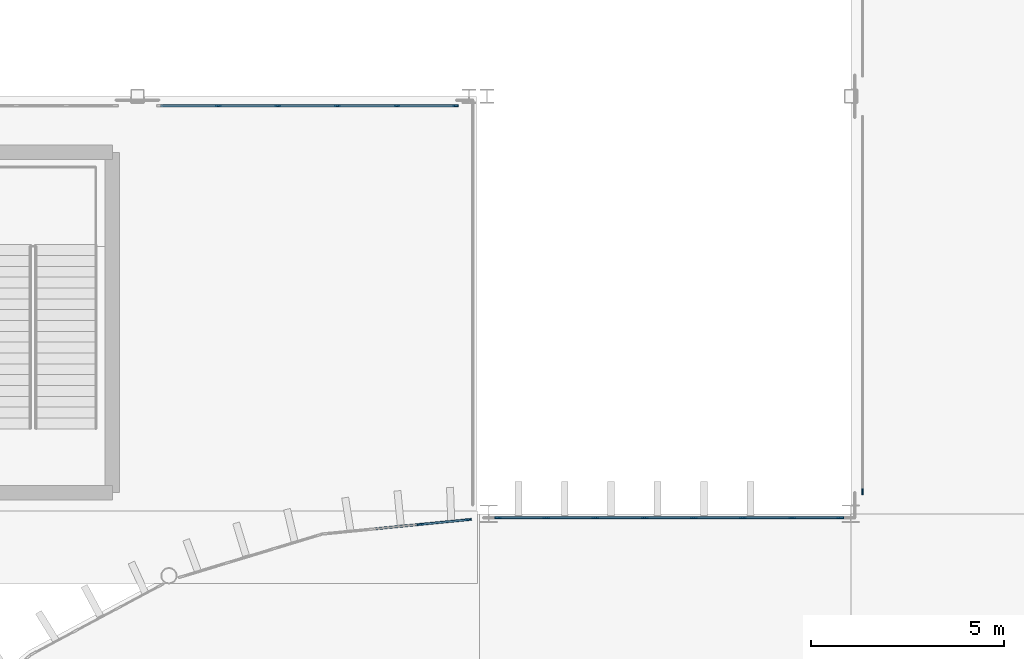
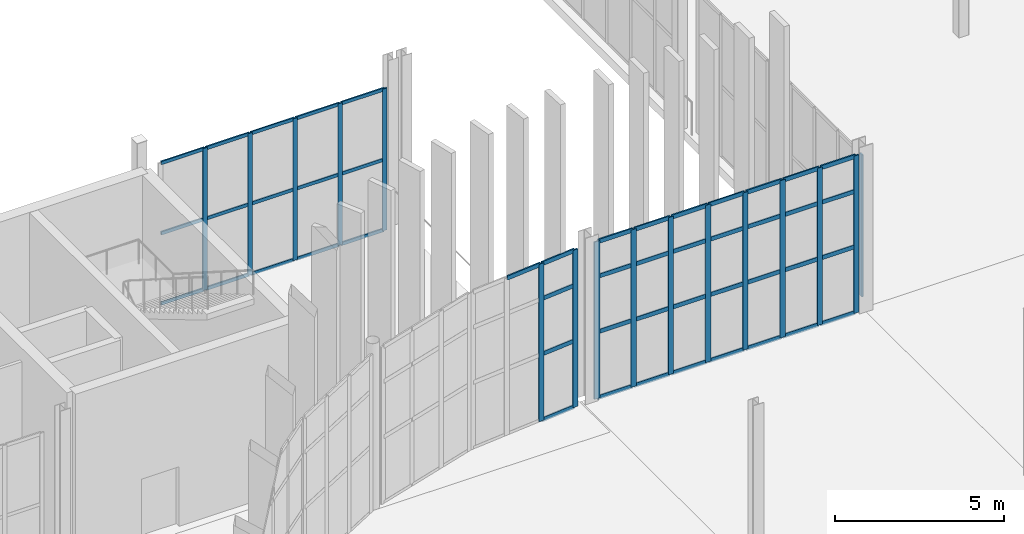
# One storey, part 47 of 139: 64 members, 4 elements without a shape of their own.
"""IFC4 building model written with IfcOpenShell, lengths in metres."""

from ifc_helpers import new_model, si_unit, direction, frame, origin, origin_2d, place, context, subcontext, project, spatial, rectangle, extrude, material, layer, layer_set, material_profile, profile_set, type_object, element, aggregate, save


model = new_model("IFC4")

# Units and contexts
model_context = context("Model", 3, precision=1e-05, world=origin(), true_north=direction((0.0, 1.0)))
body_context = subcontext(model_context, "Body", "Model", "MODEL_VIEW")
ifc_project = project(units=[si_unit("LENGTHUNIT", "METRE"), si_unit("AREAUNIT", "SQUARE_METRE"), si_unit("VOLUMEUNIT", "CUBIC_METRE"), si_unit("PLANEANGLEUNIT", "RADIAN"), si_unit("MASSUNIT", "GRAM", prefix="KILO")], contexts=[model_context])

# Site, building, storey
site_placement = place(None, origin())
site = spatial("IfcSite", under=ifc_project, at=site_placement, CompositionType="ELEMENT")
building_placement = place(site_placement, origin())
building = spatial("IfcBuilding", under=site, at=building_placement, Name="Yeouljin Market Hall", CompositionType="ELEMENT")
storey_placement = place(building_placement, origin())
storey = spatial("IfcBuildingStorey", under=building, at=storey_placement, Name="L00", CompositionType="ELEMENT", Elevation=0.0)

# Curtain wall, members
ifc_material_1 = material(Name="Thermally Broken Aluminium", Category="aluminium")
ifc_layer_1 = layer(ifc_material_1, 0.14990234375)
ifc_layer_set_1 = layer_set([ifc_layer_1], Name="Thermally Broken Aluminium")
curtain_wall_type_1 = type_object("IfcCurtainWallType", Name="CW_WingStorefront_System", PredefinedType="USERDEFINED", material=ifc_layer_set_1)
curtain_wall_1_placement = place(storey_placement, origin())
curtain_wall_1 = element("IfcCurtainWall", 1, at=curtain_wall_1_placement, inside=storey, type_object=curtain_wall_type_1, Name="Curtain wall CW-CRT-L00-03", ObjectType="CURTAIN WALL", PredefinedType="USERDEFINED")
ifc_material_2 = material(Name="Thermally Broken Aluminium", Category="aluminium")
ifc_material_profile_1 = material_profile(ifc_material_2, rectangle(XDim=0.048095703125, YDim=0.14990234375, at=origin_2d()), Name="CW-MULL-48x150")
ifc_profile_set_1 = profile_set([ifc_material_profile_1], Name="Thermally Broken Aluminium")
member_type_1 = type_object("IfcMemberType", Name="CWMullion_48x150", PredefinedType="MULLION", material=ifc_profile_set_1)
member_1_placement = place(storey_placement, frame((28.639892578125, 88.550048828125, 0.0), z_axis=(0.0, 0.0, 1.0), x_axis=(0.0, 1.0, 0.0)))
member_1 = element("IfcMember", 2, at=member_1_placement, type_object=member_type_1, Name="CW-04 mullion 2", PredefinedType="MULLION", context=body_context, shape_type="SweptSolid", body=[
    extrude(rectangle(XDim=0.048095703125, YDim=0.14990234375, at=origin_2d()), origin(), (0.0, 0.0, 1.0), 5.1201171875),
])
member_2_placement = place(storey_placement, frame((30.179931640625, 88.550048828125, 0.0), z_axis=(0.0, 0.0, 1.0), x_axis=(0.0, 1.0, 0.0)))
member_2 = element("IfcMember", 3, at=member_2_placement, type_object=member_type_1, Name="CW-04 mullion 3", PredefinedType="MULLION", context=body_context, shape_type="SweptSolid", body=[
    extrude(rectangle(XDim=0.048095703125, YDim=0.14990234375, at=origin_2d()), origin(), (0.0, 0.0, 1.0), 5.1201171875),
])
member_3_placement = place(storey_placement, frame((31.719970703125, 88.550048828125, 0.0), z_axis=(0.0, 0.0, 1.0), x_axis=(0.0, 1.0, 0.0)))
member_3 = element("IfcMember", 4, at=member_3_placement, type_object=member_type_1, Name="CW-04 mullion 4", PredefinedType="MULLION", context=body_context, shape_type="SweptSolid", body=[
    extrude(rectangle(XDim=0.048095703125, YDim=0.14990234375, at=origin_2d()), origin(), (0.0, 0.0, 1.0), 5.1201171875),
])
member_4_placement = place(storey_placement, frame((33.260009765625, 88.550048828125, 0.0), z_axis=(0.0, 0.0, 1.0), x_axis=(0.0, 1.0, 0.0)))
member_4 = element("IfcMember", 5, at=member_4_placement, type_object=member_type_1, Name="CW-04 mullion 5", PredefinedType="MULLION", context=body_context, shape_type="SweptSolid", body=[
    extrude(rectangle(XDim=0.048095703125, YDim=0.14990234375, at=origin_2d()), origin(), (0.0, 0.0, 1.0), 5.1201171875),
])
member_5_placement = place(storey_placement, frame((34.77587890625, 88.550048828125, 0.0), z_axis=(0.0, 0.0, 1.0), x_axis=(0.0, 1.0, 0.0)))
member_5 = element("IfcMember", 6, at=member_5_placement, type_object=member_type_1, Name="CW-04 mullion 6", PredefinedType="MULLION", context=body_context, shape_type="SweptSolid", body=[
    extrude(rectangle(XDim=0.048095703125, YDim=0.14990234375, at=origin_2d()), origin(), (0.0, 0.0, 1.0), 5.1201171875),
])

# Curtain wall, member
curtain_wall_2_placement = place(storey_placement, origin())
curtain_wall_2 = element("IfcCurtainWall", 7, at=curtain_wall_2_placement, inside=storey, type_object=curtain_wall_type_1, Name="Curtain wall CW-CRT-L00-15", ObjectType="CURTAIN WALL", PredefinedType="USERDEFINED")
member_6_placement = place(storey_placement, frame((45.300048828125, 78.573974609375, 0.0), z_axis=(0.0, 0.0, 1.0), x_axis=(-1.0, 0.0, 0.0)))
member_6 = element("IfcMember", 8, at=member_6_placement, type_object=member_type_1, Name="CW-04 mullion 1", PredefinedType="MULLION", context=body_context, shape_type="SweptSolid", body=[
    extrude(rectangle(XDim=0.048095703125, YDim=0.14990234375, at=origin_2d()), origin(), (0.0, 0.0, 1.0), 5.1201171875),
])
aggregate(curtain_wall_2, [member_6])

# Curtain wall, members
ifc_material_3 = material(Name="Thermally Broken Aluminium", Category="aluminium")
ifc_layer_2 = layer(ifc_material_3, 0.179931640625)
ifc_layer_set_2 = layer_set([ifc_layer_2], Name="Thermally Broken Aluminium")
curtain_wall_type_2 = type_object("IfcCurtainWallType", Name="CW_HallNave_System", PredefinedType="USERDEFINED", material=ifc_layer_set_2)
curtain_wall_3_placement = place(storey_placement, origin())
curtain_wall_3 = element("IfcCurtainWall", 9, at=curtain_wall_3_placement, inside=storey, type_object=curtain_wall_type_2, Name="Curtain wall CW-V1N-L00-01", ObjectType="CURTAIN WALL", PredefinedType="USERDEFINED")
ifc_material_4 = material(Name="Thermally Broken Aluminium", Category="aluminium")
ifc_material_profile_2 = material_profile(ifc_material_4, rectangle(XDim=0.048095703125, YDim=0.179931640625, at=origin_2d()), Name="CW-MULL-48x180")
ifc_profile_set_2 = profile_set([ifc_material_profile_2], Name="Thermally Broken Aluminium")
member_type_2 = type_object("IfcMemberType", Name="CWMullion_48x180", PredefinedType="MULLION", material=ifc_profile_set_2)
member_7_placement = place(storey_placement, frame((35.8740234375, 77.89990234375, 0.0), z_axis=(0.0, 0.0, 1.0), x_axis=(0.0, 1.0, 0.0)))
member_7 = element("IfcMember", 10, at=member_7_placement, type_object=member_type_2, Name="CW-01 mullion 1", PredefinedType="MULLION", context=body_context, shape_type="SweptSolid", body=[
    extrude(rectangle(XDim=0.048095703125, YDim=0.179931640625, at=origin_2d()), origin(), (0.0, 0.0, 1.0), 5.679931640625),
])
member_8_placement = place(storey_placement, frame((37.121337890625, 77.89990234375, 0.0), z_axis=(0.0, 0.0, 1.0), x_axis=(0.0, 1.0, 0.0)))
member_8 = element("IfcMember", 11, at=member_8_placement, type_object=member_type_2, Name="CW-01 mullion 2", PredefinedType="MULLION", context=body_context, shape_type="SweptSolid", body=[
    extrude(rectangle(XDim=0.048095703125, YDim=0.179931640625, at=origin_2d()), origin(), (0.0, 0.0, 1.0), 5.679931640625),
])
member_9_placement = place(storey_placement, frame((38.392822265625, 77.89990234375, 0.0), z_axis=(0.0, 0.0, 1.0), x_axis=(0.0, 1.0, 0.0)))
member_9 = element("IfcMember", 12, at=member_9_placement, type_object=member_type_2, Name="CW-01 mullion 3", PredefinedType="MULLION", context=body_context, shape_type="SweptSolid", body=[
    extrude(rectangle(XDim=0.048095703125, YDim=0.179931640625, at=origin_2d()), origin(), (0.0, 0.0, 1.0), 5.679931640625),
])
member_10_placement = place(storey_placement, frame((39.664306640625, 77.89990234375, 0.0), z_axis=(0.0, 0.0, 1.0), x_axis=(0.0, 1.0, 0.0)))
member_10 = element("IfcMember", 13, at=member_10_placement, type_object=member_type_2, Name="CW-01 mullion 4", PredefinedType="MULLION", context=body_context, shape_type="SweptSolid", body=[
    extrude(rectangle(XDim=0.048095703125, YDim=0.179931640625, at=origin_2d()), origin(), (0.0, 0.0, 1.0), 5.679931640625),
])
member_11_placement = place(storey_placement, frame((40.935791015625, 77.89990234375, 0.0), z_axis=(0.0, 0.0, 1.0), x_axis=(0.0, 1.0, 0.0)))
member_11 = element("IfcMember", 14, at=member_11_placement, type_object=member_type_2, Name="CW-01 mullion 5", PredefinedType="MULLION", context=body_context, shape_type="SweptSolid", body=[
    extrude(rectangle(XDim=0.048095703125, YDim=0.179931640625, at=origin_2d()), origin(), (0.0, 0.0, 1.0), 5.679931640625),
])
member_12_placement = place(storey_placement, frame((42.20703125, 77.89990234375, 0.0), z_axis=(0.0, 0.0, 1.0), x_axis=(0.0, 1.0, 0.0)))
member_12 = element("IfcMember", 15, at=member_12_placement, type_object=member_type_2, Name="CW-01 mullion 6", PredefinedType="MULLION", context=body_context, shape_type="SweptSolid", body=[
    extrude(rectangle(XDim=0.048095703125, YDim=0.179931640625, at=origin_2d()), origin(), (0.0, 0.0, 1.0), 5.679931640625),
])
member_13_placement = place(storey_placement, frame((43.478515625, 77.89990234375, 0.0), z_axis=(0.0, 0.0, 1.0), x_axis=(0.0, 1.0, 0.0)))
member_13 = element("IfcMember", 16, at=member_13_placement, type_object=member_type_2, Name="CW-01 mullion 7", PredefinedType="MULLION", context=body_context, shape_type="SweptSolid", body=[
    extrude(rectangle(XDim=0.048095703125, YDim=0.179931640625, at=origin_2d()), origin(), (0.0, 0.0, 1.0), 5.679931640625),
])
member_14_placement = place(storey_placement, frame((44.72607421875, 77.89990234375, 0.0), z_axis=(0.0, 0.0, 1.0), x_axis=(0.0, 1.0, 0.0)))
member_14 = element("IfcMember", 17, at=member_14_placement, type_object=member_type_2, Name="CW-01 mullion 8", PredefinedType="MULLION", context=body_context, shape_type="SweptSolid", body=[
    extrude(rectangle(XDim=0.048095703125, YDim=0.179931640625, at=origin_2d()), origin(), (0.0, 0.0, 1.0), 5.679931640625),
])

ifc_material_5 = material(Name="Thermally Broken Aluminium", Category="aluminium")
ifc_layer_3 = layer(ifc_material_5, 0.179931640625)
ifc_layer_set_3 = layer_set([ifc_layer_3], Name="Thermally Broken Aluminium")
curtain_wall_type_3 = type_object("IfcCurtainWallType", Name="CW_ApseCurved_System", PredefinedType="USERDEFINED", material=ifc_layer_set_3)
curtain_wall_4_placement = place(storey_placement, origin())
curtain_wall_4 = element("IfcCurtainWall", 18, at=curtain_wall_4_placement, inside=storey, type_object=curtain_wall_type_3, Name="Curtain wall CW-AP-WL00-16", ObjectType="CURTAIN WALL", PredefinedType="USERDEFINED")
member_15_placement = place(storey_placement, frame((33.86962890625, 77.729248046875, 0.0), z_axis=(0.0, 0.0, 1.0), x_axis=(-0.09803414403, 0.995183051807, 0.0)))
member_15 = element("IfcMember", 19, at=member_15_placement, type_object=member_type_2, Name="CW-03 mullion 3", PredefinedType="MULLION", context=body_context, shape_type="SweptSolid", body=[
    extrude(rectangle(XDim=0.048095703125, YDim=0.179931640625, at=origin_2d()), origin(), (0.0, 0.0, 1.0), 5.679931640625),
])
member_16_placement = place(storey_placement, frame((35.097412109375, 77.850341796875, 0.0), z_axis=(0.0, 0.0, 1.0), x_axis=(-0.09803414403, 0.995183051807, 0.0)))
member_16 = element("IfcMember", 20, at=member_16_placement, type_object=member_type_2, Name="CW-03 mullion 4", PredefinedType="MULLION", context=body_context, shape_type="SweptSolid", body=[
    extrude(rectangle(XDim=0.048095703125, YDim=0.179931640625, at=origin_2d()), origin(), (0.0, 0.0, 1.0), 5.679931640625),
])

# Member
ifc_material_6 = material(Name="Thermally Broken Aluminium", Category="aluminium")
ifc_material_profile_3 = material_profile(ifc_material_6, rectangle(XDim=0.048095703125, YDim=0.1201171875, at=origin_2d()), Name="CW-TRAN-48x120")
ifc_profile_set_3 = profile_set([ifc_material_profile_3], Name="Thermally Broken Aluminium")
member_type_3 = type_object("IfcMemberType", Name="CWTransom_48x120", PredefinedType="USERDEFINED", material=ifc_profile_set_3)
member_17_placement = place(storey_placement, frame((27.14794921875, 88.550048828125, 0.02392578125), z_axis=(1.0, 0.0, 0.0), x_axis=(0.0, 1.0, 0.0)))
member_17 = element("IfcMember", 21, at=member_17_placement, type_object=member_type_3, Name="CW-04 transom 1.1", ObjectType="TRANSOM", PredefinedType="USERDEFINED", context=body_context, shape_type="SweptSolid", body=[
    extrude(rectangle(XDim=0.048095703125, YDim=0.1201171875, at=origin_2d()), origin(), (0.0, 0.0, 1.0), 1.468017578125),
])

member_18_placement = place(storey_placement, frame((27.14794921875, 88.550048828125, 2.56005859375), z_axis=(1.0, 0.0, 0.0), x_axis=(0.0, 1.0, 0.0)))
member_18 = element("IfcMember", 22, at=member_18_placement, type_object=member_type_3, Name="CW-04 transom 1.2", ObjectType="TRANSOM", PredefinedType="USERDEFINED", context=body_context, shape_type="SweptSolid", body=[
    extrude(rectangle(XDim=0.048095703125, YDim=0.1201171875, at=origin_2d()), origin(), (0.0, 0.0, 1.0), 1.468017578125),
])

member_19_placement = place(storey_placement, frame((27.14794921875, 88.550048828125, 5.095947265625), z_axis=(1.0, 0.0, 0.0), x_axis=(0.0, 1.0, 0.0)))
member_19 = element("IfcMember", 23, at=member_19_placement, type_object=member_type_3, Name="CW-04 transom 1.3", ObjectType="TRANSOM", PredefinedType="USERDEFINED", context=body_context, shape_type="SweptSolid", body=[
    extrude(rectangle(XDim=0.048095703125, YDim=0.1201171875, at=origin_2d()), origin(), (0.0, 0.0, 1.0), 1.468017578125),
])

member_20_placement = place(storey_placement, frame((28.6640625, 88.550048828125, 0.02392578125), z_axis=(1.0, 0.0, 0.0), x_axis=(0.0, 1.0, 0.0)))
member_20 = element("IfcMember", 24, at=member_20_placement, type_object=member_type_3, Name="CW-04 transom 2.1", ObjectType="TRANSOM", PredefinedType="USERDEFINED", context=body_context, shape_type="SweptSolid", body=[
    extrude(rectangle(XDim=0.048095703125, YDim=0.1201171875, at=origin_2d()), origin(), (0.0, 0.0, 1.0), 1.491943359375),
])

member_21_placement = place(storey_placement, frame((28.6640625, 88.550048828125, 2.56005859375), z_axis=(1.0, 0.0, 0.0), x_axis=(0.0, 1.0, 0.0)))
member_21 = element("IfcMember", 25, at=member_21_placement, type_object=member_type_3, Name="CW-04 transom 2.2", ObjectType="TRANSOM", PredefinedType="USERDEFINED", context=body_context, shape_type="SweptSolid", body=[
    extrude(rectangle(XDim=0.048095703125, YDim=0.1201171875, at=origin_2d()), origin(), (0.0, 0.0, 1.0), 1.491943359375),
])

member_22_placement = place(storey_placement, frame((28.6640625, 88.550048828125, 5.095947265625), z_axis=(1.0, 0.0, 0.0), x_axis=(0.0, 1.0, 0.0)))
member_22 = element("IfcMember", 26, at=member_22_placement, type_object=member_type_3, Name="CW-04 transom 2.3", ObjectType="TRANSOM", PredefinedType="USERDEFINED", context=body_context, shape_type="SweptSolid", body=[
    extrude(rectangle(XDim=0.048095703125, YDim=0.1201171875, at=origin_2d()), origin(), (0.0, 0.0, 1.0), 1.491943359375),
])

member_23_placement = place(storey_placement, frame((30.2041015625, 88.550048828125, 0.02392578125), z_axis=(1.0, 0.0, 0.0), x_axis=(0.0, 1.0, 0.0)))
member_23 = element("IfcMember", 27, at=member_23_placement, type_object=member_type_3, Name="CW-04 transom 3.1", ObjectType="TRANSOM", PredefinedType="USERDEFINED", context=body_context, shape_type="SweptSolid", body=[
    extrude(rectangle(XDim=0.048095703125, YDim=0.1201171875, at=origin_2d()), origin(), (0.0, 0.0, 1.0), 1.491943359375),
])

member_24_placement = place(storey_placement, frame((30.2041015625, 88.550048828125, 2.56005859375), z_axis=(1.0, 0.0, 0.0), x_axis=(0.0, 1.0, 0.0)))
member_24 = element("IfcMember", 28, at=member_24_placement, type_object=member_type_3, Name="CW-04 transom 3.2", ObjectType="TRANSOM", PredefinedType="USERDEFINED", context=body_context, shape_type="SweptSolid", body=[
    extrude(rectangle(XDim=0.048095703125, YDim=0.1201171875, at=origin_2d()), origin(), (0.0, 0.0, 1.0), 1.491943359375),
])

member_25_placement = place(storey_placement, frame((30.2041015625, 88.550048828125, 5.095947265625), z_axis=(1.0, 0.0, 0.0), x_axis=(0.0, 1.0, 0.0)))
member_25 = element("IfcMember", 29, at=member_25_placement, type_object=member_type_3, Name="CW-04 transom 3.3", ObjectType="TRANSOM", PredefinedType="USERDEFINED", context=body_context, shape_type="SweptSolid", body=[
    extrude(rectangle(XDim=0.048095703125, YDim=0.1201171875, at=origin_2d()), origin(), (0.0, 0.0, 1.0), 1.491943359375),
])

member_26_placement = place(storey_placement, frame((31.743896484375, 88.550048828125, 0.02392578125), z_axis=(1.0, 0.0, 0.0), x_axis=(0.0, 1.0, 0.0)))
member_26 = element("IfcMember", 30, at=member_26_placement, type_object=member_type_3, Name="CW-04 transom 4.1", ObjectType="TRANSOM", PredefinedType="USERDEFINED", context=body_context, shape_type="SweptSolid", body=[
    extrude(rectangle(XDim=0.048095703125, YDim=0.1201171875, at=origin_2d()), origin(), (0.0, 0.0, 1.0), 1.4921875),
])

member_27_placement = place(storey_placement, frame((31.743896484375, 88.550048828125, 2.56005859375), z_axis=(1.0, 0.0, 0.0), x_axis=(0.0, 1.0, 0.0)))
member_27 = element("IfcMember", 31, at=member_27_placement, type_object=member_type_3, Name="CW-04 transom 4.2", ObjectType="TRANSOM", PredefinedType="USERDEFINED", context=body_context, shape_type="SweptSolid", body=[
    extrude(rectangle(XDim=0.048095703125, YDim=0.1201171875, at=origin_2d()), origin(), (0.0, 0.0, 1.0), 1.4921875),
])

member_28_placement = place(storey_placement, frame((31.743896484375, 88.550048828125, 5.095947265625), z_axis=(1.0, 0.0, 0.0), x_axis=(0.0, 1.0, 0.0)))
member_28 = element("IfcMember", 32, at=member_28_placement, type_object=member_type_3, Name="CW-04 transom 4.3", ObjectType="TRANSOM", PredefinedType="USERDEFINED", context=body_context, shape_type="SweptSolid", body=[
    extrude(rectangle(XDim=0.048095703125, YDim=0.1201171875, at=origin_2d()), origin(), (0.0, 0.0, 1.0), 1.4921875),
])

member_29_placement = place(storey_placement, frame((33.283935546875, 88.550048828125, 0.02392578125), z_axis=(1.0, 0.0, 0.0), x_axis=(0.0, 1.0, 0.0)))
member_29 = element("IfcMember", 33, at=member_29_placement, type_object=member_type_3, Name="CW-04 transom 5.1", ObjectType="TRANSOM", PredefinedType="USERDEFINED", context=body_context, shape_type="SweptSolid", body=[
    extrude(rectangle(XDim=0.048095703125, YDim=0.1201171875, at=origin_2d()), origin(), (0.0, 0.0, 1.0), 1.468017578125),
])

member_30_placement = place(storey_placement, frame((33.283935546875, 88.550048828125, 2.56005859375), z_axis=(1.0, 0.0, 0.0), x_axis=(0.0, 1.0, 0.0)))
member_30 = element("IfcMember", 34, at=member_30_placement, type_object=member_type_3, Name="CW-04 transom 5.2", ObjectType="TRANSOM", PredefinedType="USERDEFINED", context=body_context, shape_type="SweptSolid", body=[
    extrude(rectangle(XDim=0.048095703125, YDim=0.1201171875, at=origin_2d()), origin(), (0.0, 0.0, 1.0), 1.468017578125),
])

member_31_placement = place(storey_placement, frame((33.283935546875, 88.550048828125, 5.095947265625), z_axis=(1.0, 0.0, 0.0), x_axis=(0.0, 1.0, 0.0)))
member_31 = element("IfcMember", 35, at=member_31_placement, type_object=member_type_3, Name="CW-04 transom 5.3", ObjectType="TRANSOM", PredefinedType="USERDEFINED", context=body_context, shape_type="SweptSolid", body=[
    extrude(rectangle(XDim=0.048095703125, YDim=0.1201171875, at=origin_2d()), origin(), (0.0, 0.0, 1.0), 1.468017578125),
])

aggregate(curtain_wall_1, [member_1, member_2, member_3, member_4, member_5, member_17, member_18, member_19, member_20, member_21, member_22, member_23, member_24, member_25, member_26, member_27, member_28, member_29, member_30, member_31])

ifc_material_7 = material(Name="Thermally Broken Aluminium", Category="aluminium")
ifc_material_profile_4 = material_profile(ifc_material_7, rectangle(XDim=0.048095703125, YDim=0.14990234375, at=origin_2d()), Name="CW-TRAN-48x150")
ifc_profile_set_4 = profile_set([ifc_material_profile_4], Name="Thermally Broken Aluminium")
member_type_4 = type_object("IfcMemberType", Name="CWTransom_48x150", PredefinedType="USERDEFINED", material=ifc_profile_set_4)
member_32_placement = place(storey_placement, frame((35.89794921875, 77.89990234375, 0.02392578125), z_axis=(1.0, 0.0, 0.0), x_axis=(0.0, 1.0, 0.0)))
member_32 = element("IfcMember", 36, at=member_32_placement, type_object=member_type_4, Name="CW-01 transom 1.1", ObjectType="TRANSOM", PredefinedType="USERDEFINED", context=body_context, shape_type="SweptSolid", body=[
    extrude(rectangle(XDim=0.048095703125, YDim=0.14990234375, at=origin_2d()), origin(), (0.0, 0.0, 1.0), 1.199462890625),
])

member_33_placement = place(storey_placement, frame((35.89794921875, 77.89990234375, 2.39990234375), z_axis=(1.0, 0.0, 0.0), x_axis=(0.0, 1.0, 0.0)))
member_33 = element("IfcMember", 37, at=member_33_placement, type_object=member_type_4, Name="CW-01 transom 1.2", ObjectType="TRANSOM", PredefinedType="USERDEFINED", context=body_context, shape_type="SweptSolid", body=[
    extrude(rectangle(XDim=0.048095703125, YDim=0.14990234375, at=origin_2d()), origin(), (0.0, 0.0, 1.0), 1.199462890625),
])

member_34_placement = place(storey_placement, frame((35.89794921875, 77.89990234375, 4.39990234375), z_axis=(1.0, 0.0, 0.0), x_axis=(0.0, 1.0, 0.0)))
member_34 = element("IfcMember", 38, at=member_34_placement, type_object=member_type_4, Name="CW-01 transom 1.3", ObjectType="TRANSOM", PredefinedType="USERDEFINED", context=body_context, shape_type="SweptSolid", body=[
    extrude(rectangle(XDim=0.048095703125, YDim=0.14990234375, at=origin_2d()), origin(), (0.0, 0.0, 1.0), 1.199462890625),
])

member_35_placement = place(storey_placement, frame((35.89794921875, 77.89990234375, 5.656005859375), z_axis=(1.0, 0.0, 0.0), x_axis=(0.0, 1.0, 0.0)))
member_35 = element("IfcMember", 39, at=member_35_placement, type_object=member_type_4, Name="CW-01 transom 1.4", ObjectType="TRANSOM", PredefinedType="USERDEFINED", context=body_context, shape_type="SweptSolid", body=[
    extrude(rectangle(XDim=0.048095703125, YDim=0.14990234375, at=origin_2d()), origin(), (0.0, 0.0, 1.0), 1.199462890625),
])

member_36_placement = place(storey_placement, frame((37.1455078125, 77.89990234375, 0.02392578125), z_axis=(1.0, 0.0, 0.0), x_axis=(0.0, 1.0, 0.0)))
member_36 = element("IfcMember", 40, at=member_36_placement, type_object=member_type_4, Name="CW-01 transom 2.1", ObjectType="TRANSOM", PredefinedType="USERDEFINED", context=body_context, shape_type="SweptSolid", body=[
    extrude(rectangle(XDim=0.048095703125, YDim=0.14990234375, at=origin_2d()), origin(), (0.0, 0.0, 1.0), 1.223388671875),
])

member_37_placement = place(storey_placement, frame((37.1455078125, 77.89990234375, 2.39990234375), z_axis=(1.0, 0.0, 0.0), x_axis=(0.0, 1.0, 0.0)))
member_37 = element("IfcMember", 41, at=member_37_placement, type_object=member_type_4, Name="CW-01 transom 2.2", ObjectType="TRANSOM", PredefinedType="USERDEFINED", context=body_context, shape_type="SweptSolid", body=[
    extrude(rectangle(XDim=0.048095703125, YDim=0.14990234375, at=origin_2d()), origin(), (0.0, 0.0, 1.0), 1.223388671875),
])

member_38_placement = place(storey_placement, frame((37.1455078125, 77.89990234375, 4.39990234375), z_axis=(1.0, 0.0, 0.0), x_axis=(0.0, 1.0, 0.0)))
member_38 = element("IfcMember", 42, at=member_38_placement, type_object=member_type_4, Name="CW-01 transom 2.3", ObjectType="TRANSOM", PredefinedType="USERDEFINED", context=body_context, shape_type="SweptSolid", body=[
    extrude(rectangle(XDim=0.048095703125, YDim=0.14990234375, at=origin_2d()), origin(), (0.0, 0.0, 1.0), 1.223388671875),
])

member_39_placement = place(storey_placement, frame((37.1455078125, 77.89990234375, 5.656005859375), z_axis=(1.0, 0.0, 0.0), x_axis=(0.0, 1.0, 0.0)))
member_39 = element("IfcMember", 43, at=member_39_placement, type_object=member_type_4, Name="CW-01 transom 2.4", ObjectType="TRANSOM", PredefinedType="USERDEFINED", context=body_context, shape_type="SweptSolid", body=[
    extrude(rectangle(XDim=0.048095703125, YDim=0.14990234375, at=origin_2d()), origin(), (0.0, 0.0, 1.0), 1.223388671875),
])

member_40_placement = place(storey_placement, frame((38.416748046875, 77.89990234375, 0.02392578125), z_axis=(1.0, 0.0, 0.0), x_axis=(0.0, 1.0, 0.0)))
member_40 = element("IfcMember", 44, at=member_40_placement, type_object=member_type_4, Name="CW-01 transom 3.1", ObjectType="TRANSOM", PredefinedType="USERDEFINED", context=body_context, shape_type="SweptSolid", body=[
    extrude(rectangle(XDim=0.048095703125, YDim=0.14990234375, at=origin_2d()), origin(), (0.0, 0.0, 1.0), 1.2236328125),
])

member_41_placement = place(storey_placement, frame((38.416748046875, 77.89990234375, 2.39990234375), z_axis=(1.0, 0.0, 0.0), x_axis=(0.0, 1.0, 0.0)))
member_41 = element("IfcMember", 45, at=member_41_placement, type_object=member_type_4, Name="CW-01 transom 3.2", ObjectType="TRANSOM", PredefinedType="USERDEFINED", context=body_context, shape_type="SweptSolid", body=[
    extrude(rectangle(XDim=0.048095703125, YDim=0.14990234375, at=origin_2d()), origin(), (0.0, 0.0, 1.0), 1.2236328125),
])

member_42_placement = place(storey_placement, frame((38.416748046875, 77.89990234375, 4.39990234375), z_axis=(1.0, 0.0, 0.0), x_axis=(0.0, 1.0, 0.0)))
member_42 = element("IfcMember", 46, at=member_42_placement, type_object=member_type_4, Name="CW-01 transom 3.3", ObjectType="TRANSOM", PredefinedType="USERDEFINED", context=body_context, shape_type="SweptSolid", body=[
    extrude(rectangle(XDim=0.048095703125, YDim=0.14990234375, at=origin_2d()), origin(), (0.0, 0.0, 1.0), 1.2236328125),
])

member_43_placement = place(storey_placement, frame((38.416748046875, 77.89990234375, 5.656005859375), z_axis=(1.0, 0.0, 0.0), x_axis=(0.0, 1.0, 0.0)))
member_43 = element("IfcMember", 47, at=member_43_placement, type_object=member_type_4, Name="CW-01 transom 3.4", ObjectType="TRANSOM", PredefinedType="USERDEFINED", context=body_context, shape_type="SweptSolid", body=[
    extrude(rectangle(XDim=0.048095703125, YDim=0.14990234375, at=origin_2d()), origin(), (0.0, 0.0, 1.0), 1.2236328125),
])

member_44_placement = place(storey_placement, frame((39.688232421875, 77.89990234375, 0.02392578125), z_axis=(1.0, 0.0, 0.0), x_axis=(0.0, 1.0, 0.0)))
member_44 = element("IfcMember", 48, at=member_44_placement, type_object=member_type_4, Name="CW-01 transom 4.1", ObjectType="TRANSOM", PredefinedType="USERDEFINED", context=body_context, shape_type="SweptSolid", body=[
    extrude(rectangle(XDim=0.048095703125, YDim=0.14990234375, at=origin_2d()), origin(), (0.0, 0.0, 1.0), 1.223388671875),
])

member_45_placement = place(storey_placement, frame((39.688232421875, 77.89990234375, 2.39990234375), z_axis=(1.0, 0.0, 0.0), x_axis=(0.0, 1.0, 0.0)))
member_45 = element("IfcMember", 49, at=member_45_placement, type_object=member_type_4, Name="CW-01 transom 4.2", ObjectType="TRANSOM", PredefinedType="USERDEFINED", context=body_context, shape_type="SweptSolid", body=[
    extrude(rectangle(XDim=0.048095703125, YDim=0.14990234375, at=origin_2d()), origin(), (0.0, 0.0, 1.0), 1.223388671875),
])

member_46_placement = place(storey_placement, frame((39.688232421875, 77.89990234375, 4.39990234375), z_axis=(1.0, 0.0, 0.0), x_axis=(0.0, 1.0, 0.0)))
member_46 = element("IfcMember", 50, at=member_46_placement, type_object=member_type_4, Name="CW-01 transom 4.3", ObjectType="TRANSOM", PredefinedType="USERDEFINED", context=body_context, shape_type="SweptSolid", body=[
    extrude(rectangle(XDim=0.048095703125, YDim=0.14990234375, at=origin_2d()), origin(), (0.0, 0.0, 1.0), 1.223388671875),
])

member_47_placement = place(storey_placement, frame((39.688232421875, 77.89990234375, 5.656005859375), z_axis=(1.0, 0.0, 0.0), x_axis=(0.0, 1.0, 0.0)))
member_47 = element("IfcMember", 51, at=member_47_placement, type_object=member_type_4, Name="CW-01 transom 4.4", ObjectType="TRANSOM", PredefinedType="USERDEFINED", context=body_context, shape_type="SweptSolid", body=[
    extrude(rectangle(XDim=0.048095703125, YDim=0.14990234375, at=origin_2d()), origin(), (0.0, 0.0, 1.0), 1.223388671875),
])

member_48_placement = place(storey_placement, frame((40.959716796875, 77.89990234375, 0.02392578125), z_axis=(1.0, 0.0, 0.0), x_axis=(0.0, 1.0, 0.0)))
member_48 = element("IfcMember", 52, at=member_48_placement, type_object=member_type_4, Name="CW-01 transom 5.1", ObjectType="TRANSOM", PredefinedType="USERDEFINED", context=body_context, shape_type="SweptSolid", body=[
    extrude(rectangle(XDim=0.048095703125, YDim=0.14990234375, at=origin_2d()), origin(), (0.0, 0.0, 1.0), 1.223388671875),
])

member_49_placement = place(storey_placement, frame((40.959716796875, 77.89990234375, 2.39990234375), z_axis=(1.0, 0.0, 0.0), x_axis=(0.0, 1.0, 0.0)))
member_49 = element("IfcMember", 53, at=member_49_placement, type_object=member_type_4, Name="CW-01 transom 5.2", ObjectType="TRANSOM", PredefinedType="USERDEFINED", context=body_context, shape_type="SweptSolid", body=[
    extrude(rectangle(XDim=0.048095703125, YDim=0.14990234375, at=origin_2d()), origin(), (0.0, 0.0, 1.0), 1.223388671875),
])

member_50_placement = place(storey_placement, frame((40.959716796875, 77.89990234375, 4.39990234375), z_axis=(1.0, 0.0, 0.0), x_axis=(0.0, 1.0, 0.0)))
member_50 = element("IfcMember", 54, at=member_50_placement, type_object=member_type_4, Name="CW-01 transom 5.3", ObjectType="TRANSOM", PredefinedType="USERDEFINED", context=body_context, shape_type="SweptSolid", body=[
    extrude(rectangle(XDim=0.048095703125, YDim=0.14990234375, at=origin_2d()), origin(), (0.0, 0.0, 1.0), 1.223388671875),
])

member_51_placement = place(storey_placement, frame((40.959716796875, 77.89990234375, 5.656005859375), z_axis=(1.0, 0.0, 0.0), x_axis=(0.0, 1.0, 0.0)))
member_51 = element("IfcMember", 55, at=member_51_placement, type_object=member_type_4, Name="CW-01 transom 5.4", ObjectType="TRANSOM", PredefinedType="USERDEFINED", context=body_context, shape_type="SweptSolid", body=[
    extrude(rectangle(XDim=0.048095703125, YDim=0.14990234375, at=origin_2d()), origin(), (0.0, 0.0, 1.0), 1.223388671875),
])

member_52_placement = place(storey_placement, frame((42.231201171875, 77.89990234375, 0.02392578125), z_axis=(1.0, 0.0, 0.0), x_axis=(0.0, 1.0, 0.0)))
member_52 = element("IfcMember", 56, at=member_52_placement, type_object=member_type_4, Name="CW-01 transom 6.1", ObjectType="TRANSOM", PredefinedType="USERDEFINED", context=body_context, shape_type="SweptSolid", body=[
    extrude(rectangle(XDim=0.048095703125, YDim=0.14990234375, at=origin_2d()), origin(), (0.0, 0.0, 1.0), 1.223388671875),
])

member_53_placement = place(storey_placement, frame((42.231201171875, 77.89990234375, 2.39990234375), z_axis=(1.0, 0.0, 0.0), x_axis=(0.0, 1.0, 0.0)))
member_53 = element("IfcMember", 57, at=member_53_placement, type_object=member_type_4, Name="CW-01 transom 6.2", ObjectType="TRANSOM", PredefinedType="USERDEFINED", context=body_context, shape_type="SweptSolid", body=[
    extrude(rectangle(XDim=0.048095703125, YDim=0.14990234375, at=origin_2d()), origin(), (0.0, 0.0, 1.0), 1.223388671875),
])

member_54_placement = place(storey_placement, frame((42.231201171875, 77.89990234375, 4.39990234375), z_axis=(1.0, 0.0, 0.0), x_axis=(0.0, 1.0, 0.0)))
member_54 = element("IfcMember", 58, at=member_54_placement, type_object=member_type_4, Name="CW-01 transom 6.3", ObjectType="TRANSOM", PredefinedType="USERDEFINED", context=body_context, shape_type="SweptSolid", body=[
    extrude(rectangle(XDim=0.048095703125, YDim=0.14990234375, at=origin_2d()), origin(), (0.0, 0.0, 1.0), 1.223388671875),
])

member_55_placement = place(storey_placement, frame((42.231201171875, 77.89990234375, 5.656005859375), z_axis=(1.0, 0.0, 0.0), x_axis=(0.0, 1.0, 0.0)))
member_55 = element("IfcMember", 59, at=member_55_placement, type_object=member_type_4, Name="CW-01 transom 6.4", ObjectType="TRANSOM", PredefinedType="USERDEFINED", context=body_context, shape_type="SweptSolid", body=[
    extrude(rectangle(XDim=0.048095703125, YDim=0.14990234375, at=origin_2d()), origin(), (0.0, 0.0, 1.0), 1.223388671875),
])

member_56_placement = place(storey_placement, frame((43.502685546875, 77.89990234375, 0.02392578125), z_axis=(1.0, 0.0, 0.0), x_axis=(0.0, 1.0, 0.0)))
member_56 = element("IfcMember", 60, at=member_56_placement, type_object=member_type_4, Name="CW-01 transom 7.1", ObjectType="TRANSOM", PredefinedType="USERDEFINED", context=body_context, shape_type="SweptSolid", body=[
    extrude(rectangle(XDim=0.048095703125, YDim=0.14990234375, at=origin_2d()), origin(), (0.0, 0.0, 1.0), 1.19921875),
])

member_57_placement = place(storey_placement, frame((43.502685546875, 77.89990234375, 2.39990234375), z_axis=(1.0, 0.0, 0.0), x_axis=(0.0, 1.0, 0.0)))
member_57 = element("IfcMember", 61, at=member_57_placement, type_object=member_type_4, Name="CW-01 transom 7.2", ObjectType="TRANSOM", PredefinedType="USERDEFINED", context=body_context, shape_type="SweptSolid", body=[
    extrude(rectangle(XDim=0.048095703125, YDim=0.14990234375, at=origin_2d()), origin(), (0.0, 0.0, 1.0), 1.19921875),
])

member_58_placement = place(storey_placement, frame((43.502685546875, 77.89990234375, 4.39990234375), z_axis=(1.0, 0.0, 0.0), x_axis=(0.0, 1.0, 0.0)))
member_58 = element("IfcMember", 62, at=member_58_placement, type_object=member_type_4, Name="CW-01 transom 7.3", ObjectType="TRANSOM", PredefinedType="USERDEFINED", context=body_context, shape_type="SweptSolid", body=[
    extrude(rectangle(XDim=0.048095703125, YDim=0.14990234375, at=origin_2d()), origin(), (0.0, 0.0, 1.0), 1.19921875),
])

member_59_placement = place(storey_placement, frame((43.502685546875, 77.89990234375, 5.656005859375), z_axis=(1.0, 0.0, 0.0), x_axis=(0.0, 1.0, 0.0)))
member_59 = element("IfcMember", 63, at=member_59_placement, type_object=member_type_4, Name="CW-01 transom 7.4", ObjectType="TRANSOM", PredefinedType="USERDEFINED", context=body_context, shape_type="SweptSolid", body=[
    extrude(rectangle(XDim=0.048095703125, YDim=0.14990234375, at=origin_2d()), origin(), (0.0, 0.0, 1.0), 1.19921875),
])

aggregate(curtain_wall_3, [member_7, member_8, member_9, member_10, member_11, member_12, member_13, member_14, member_32, member_33, member_34, member_35, member_36, member_37, member_38, member_39, member_40, member_41, member_42, member_43, member_44, member_45, member_46, member_47, member_48, member_49, member_50, member_51, member_52, member_53, member_54, member_55, member_56, member_57, member_58, member_59])

member_60_placement = place(storey_placement, frame((32.641845703125, 77.6083984375, 5.656005859375), z_axis=(0.995178052762, 0.098084878045, 0.0), x_axis=(-0.098084878045, 0.995178052762, 0.0)))
member_60 = element("IfcMember", 64, at=member_60_placement, type_object=member_type_4, Name="CW-03 transom 2.4", ObjectType="TRANSOM", PredefinedType="USERDEFINED", context=body_context, shape_type="SweptSolid", body=[
    extrude(rectangle(XDim=0.048095703125, YDim=0.14990234375, at=origin_2d()), origin(), (0.0, 0.0, 1.0), 1.209716796875),
])

member_61_placement = place(storey_placement, frame((33.8935546875, 77.731689453125, 0.02392578125), z_axis=(0.995184906489, 0.098015314606, 0.0), x_axis=(-0.098015314606, 0.995184906489, 0.0)))
member_61 = element("IfcMember", 65, at=member_61_placement, type_object=member_type_4, Name="CW-03 transom 3.1", ObjectType="TRANSOM", PredefinedType="USERDEFINED", context=body_context, shape_type="SweptSolid", body=[
    extrude(rectangle(XDim=0.048095703125, YDim=0.14990234375, at=origin_2d()), origin(), (0.0, 0.0, 1.0), 1.185546875),
])

member_62_placement = place(storey_placement, frame((33.8935546875, 77.731689453125, 2.39990234375), z_axis=(0.995184906489, 0.098015314606, 0.0), x_axis=(-0.098015314606, 0.995184906489, 0.0)))
member_62 = element("IfcMember", 66, at=member_62_placement, type_object=member_type_4, Name="CW-03 transom 3.2", ObjectType="TRANSOM", PredefinedType="USERDEFINED", context=body_context, shape_type="SweptSolid", body=[
    extrude(rectangle(XDim=0.048095703125, YDim=0.14990234375, at=origin_2d()), origin(), (0.0, 0.0, 1.0), 1.185546875),
])

member_63_placement = place(storey_placement, frame((33.8935546875, 77.731689453125, 4.39990234375), z_axis=(0.995184906489, 0.098015314606, 0.0), x_axis=(-0.098015314606, 0.995184906489, 0.0)))
member_63 = element("IfcMember", 67, at=member_63_placement, type_object=member_type_4, Name="CW-03 transom 3.3", ObjectType="TRANSOM", PredefinedType="USERDEFINED", context=body_context, shape_type="SweptSolid", body=[
    extrude(rectangle(XDim=0.048095703125, YDim=0.14990234375, at=origin_2d()), origin(), (0.0, 0.0, 1.0), 1.185546875),
])

member_64_placement = place(storey_placement, frame((33.8935546875, 77.731689453125, 5.656005859375), z_axis=(0.995184906489, 0.098015314606, 0.0), x_axis=(-0.098015314606, 0.995184906489, 0.0)))
member_64 = element("IfcMember", 68, at=member_64_placement, type_object=member_type_4, Name="CW-03 transom 3.4", ObjectType="TRANSOM", PredefinedType="USERDEFINED", context=body_context, shape_type="SweptSolid", body=[
    extrude(rectangle(XDim=0.048095703125, YDim=0.14990234375, at=origin_2d()), origin(), (0.0, 0.0, 1.0), 1.185546875),
])

aggregate(curtain_wall_4, [member_15, member_16, member_60, member_61, member_62, member_63, member_64])

save(model, "model.ifc")
